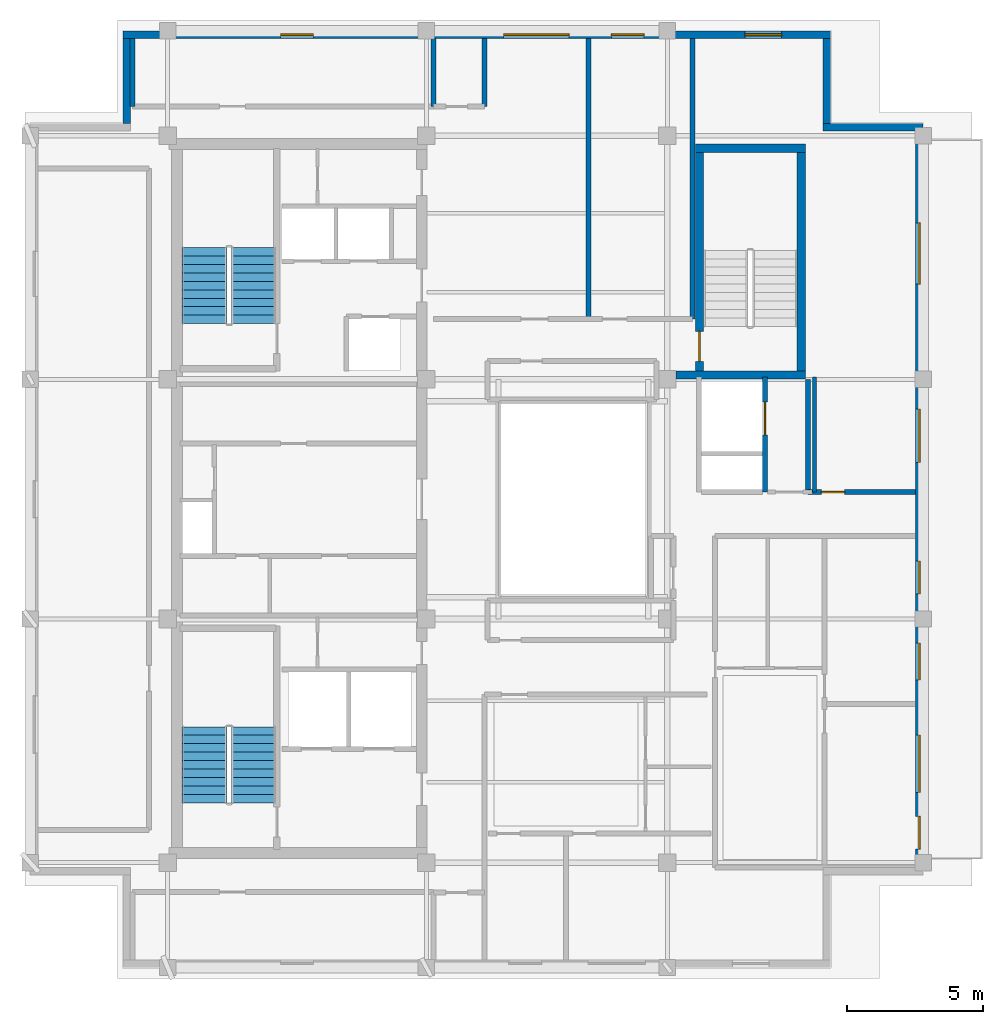
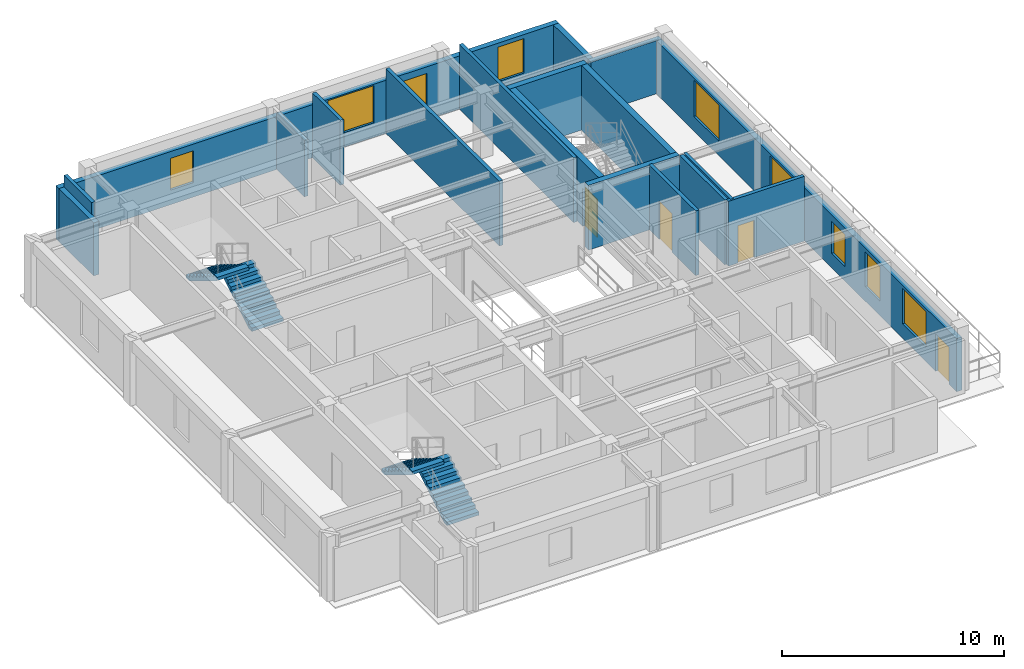
# One storey, part 5 of 9: 18 walls, 9 windows, 4 doors, 4 stair flights, 13 openings, 2 elements without a shape of their own.
"""IFC4 building model written with IfcOpenShell, lengths in metres."""

from ifc_helpers import new_model, si_unit, direction, frame, frame_2d, origin, place, context, subcontext, project, spatial, polyline, rectangle, outline, extrude, material, layer, layer_set, type_object, element, fill, aggregate, save


model = new_model("IFC4")

# Units and contexts
model_context = context("Model", 3, precision=1e-05, world=origin(), true_north=direction((0.0, 1.0)))
body_context = subcontext(model_context, "Body", "Model", "MODEL_VIEW")
ifc_project = project(units=[si_unit("LENGTHUNIT", "METRE"), si_unit("AREAUNIT", "SQUARE_METRE"), si_unit("VOLUMEUNIT", "CUBIC_METRE"), si_unit("PLANEANGLEUNIT", "RADIAN"), si_unit("MASSUNIT", "GRAM", prefix="KILO")], contexts=[model_context])

# Site, building, storey
site_placement = place(None, origin())
site = spatial("IfcSite", under=ifc_project, at=site_placement, CompositionType="ELEMENT")
building_placement = place(site_placement, origin())
building = spatial("IfcBuilding", under=site, at=building_placement, Name="Kundavana Baori Tower", CompositionType="ELEMENT")
storey_placement = place(building_placement, frame((0.0, 0.0, 335.300048828125)))
storey = spatial("IfcBuildingStorey", under=building, at=storey_placement, Name="L83", CompositionType="ELEMENT", Elevation=335.300048828125)

# Wall, openings, door, windows
ifc_material_1 = material(Name="Red-Buff Dholpur Sandstone Cladding on Concrete C40/50", Category="masonry")
ifc_layer_1 = layer(ifc_material_1, 0.280029296875, Name="WL-EXT-SAND-280")
ifc_layer_set_1 = layer_set([ifc_layer_1], Name="Red-Buff Dholpur Sandstone Cladding on Concrete C40/50")
wall_type_1 = type_object("IfcWallType", Name="WL-EXT-SAND-280", PredefinedType="STANDARD", material=ifc_layer_set_1)
wall_1_placement = place(storey_placement, frame((43.06005859375, 15.080078125, 0.0), z_axis=(0.0, 0.0, 1.0), x_axis=(0.0, 1.0, 0.0)))
wall_1 = element("IfcWall", 1, at=wall_1_placement, inside=storey, type_object=wall_type_1, Name="L83 Exterior Insulated Facade Wall 04", PredefinedType="STANDARD", context=body_context, shape_type="SweptSolid", body=[
    extrude(rectangle(XDim=27.0400390625, YDim=0.280029296875, at=frame_2d((13.52001953125, 0.0))), origin(), (0.0, 0.0, 1.0), 2.919921875),
])
opening_1_placement = place(wall_1_placement, frame((0.669921875, 0.0, 0.0)))
opening_1 = element("IfcOpeningElement", 2, at=opening_1_placement, cuts=wall_1, Name="Opening TD-1", PredefinedType="OPENING", context=body_context, shape_type="SweptSolid", body=[
    extrude(rectangle(XDim=1.199951171875, YDim=2.050048828125, at=frame_2d((0.60009765625, 1.02490234375))), frame((0.0, 0.14990234375, 0.0), z_axis=(0.0, -1.0, 0.0), x_axis=(1.0, 0.0, 0.0)), (0.0, 0.0, 1.0), 0.300048828125),
])
opening_2_placement = place(wall_1_placement, frame((2.7548828125, 0.0, 0.800048828125)))
opening_2 = element("IfcOpeningElement", 3, at=opening_2_placement, cuts=wall_1, Name="Opening W-05", PredefinedType="OPENING", context=body_context, shape_type="SweptSolid", body=[
    extrude(rectangle(XDim=2.10009765625, YDim=1.949951171875, at=frame_2d((1.050048828125, 0.97509765625))), frame((0.0, 0.14990234375, 0.0), z_axis=(0.0, -1.0, 0.0), x_axis=(1.0, 0.0, 0.0)), (0.0, 0.0, 1.0), 0.300048828125),
])
opening_3_placement = place(wall_1_placement, frame((6.8798828125, 0.0, 0.800048828125)))
opening_3 = element("IfcOpeningElement", 4, at=opening_3_placement, cuts=wall_1, Name="Opening W-07", PredefinedType="OPENING", context=body_context, shape_type="SweptSolid", body=[
    extrude(rectangle(XDim=1.35009765625, YDim=1.89990234375, at=frame_2d((0.675048828125, 0.949951171875))), frame((0.0, 0.14990234375, 0.0), z_axis=(0.0, -1.0, 0.0), x_axis=(1.0, 0.0, 0.0)), (0.0, 0.0, 1.0), 0.300048828125),
])
opening_4_placement = place(wall_1_placement, frame((10.044921875, 0.0, 0.800048828125)))
opening_4 = element("IfcOpeningElement", 5, at=opening_4_placement, cuts=wall_1, Name="Opening W-03", PredefinedType="OPENING", context=body_context, shape_type="SweptSolid", body=[
    extrude(rectangle(XDim=1.199951171875, YDim=1.75, at=frame_2d((0.60009765625, 0.875))), frame((0.0, 0.14990234375, 0.0), z_axis=(0.0, -1.0, 0.0), x_axis=(1.0, 0.0, 0.0)), (0.0, 0.0, 1.0), 0.300048828125),
])
opening_5_placement = place(wall_1_placement, frame((14.875, 0.0, 0.800048828125)))
opening_5 = element("IfcOpeningElement", 6, at=opening_5_placement, cuts=wall_1, Name="Opening W-09", PredefinedType="OPENING", context=body_context, shape_type="SweptSolid", body=[
    extrude(rectangle(XDim=1.949951171875, YDim=2.0, at=frame_2d((0.97509765625, 1.0))), frame((0.0, 0.14990234375, 0.0), z_axis=(0.0, -1.0, 0.0), x_axis=(1.0, 0.0, 0.0)), (0.0, 0.0, 1.0), 0.300048828125),
])
opening_6_placement = place(wall_1_placement, frame((21.419921875, 0.0, 0.800048828125)))
opening_6 = element("IfcOpeningElement", 7, at=opening_6_placement, cuts=wall_1, Name="Opening W-10", PredefinedType="OPENING", context=body_context, shape_type="SweptSolid", body=[
    extrude(rectangle(XDim=2.25, YDim=2.0, at=frame_2d((1.125, 1.0))), frame((0.0, 0.14990234375, 0.0), z_axis=(0.0, -1.0, 0.0), x_axis=(1.0, 0.0, 0.0)), (0.0, 0.0, 1.0), 0.300048828125),
])
ifc_material_2 = material(Name="Architectural Patinated Bronze Metalwork")
door_type_1 = type_object("IfcDoorType", Name="DR-EXT-TER-1200", OperationType="NOTDEFINED", PredefinedType="DOOR", material=ifc_material_2)
door_1_placement = place(opening_1_placement, frame((1.199951171875, 0.0, 0.0), z_axis=(0.0, 0.0, 1.0), x_axis=(-1.0, 0.0, 0.0)))
door_1 = element("IfcDoor", 8, at=door_1_placement, inside=storey, type_object=door_type_1, Name="L83 Terrace Access Door E", OperationType="SINGLE_SWING_RIGHT", OverallHeight=2.050048828125, OverallWidth=1.199951171875, PredefinedType="DOOR", context=body_context, shape_type="SweptSolid", body=[
    extrude(rectangle(XDim=1.199951171875, YDim=2.050048828125, at=frame_2d((0.60009765625, 1.02490234375))), frame((0.0, 0.02490234375, 0.0), z_axis=(0.0, -1.0, 0.0), x_axis=(1.0, 0.0, 0.0)), (0.0, 0.0, 1.0), 0.050048828125),
])
fill(opening_1, door_1)
ifc_material_3 = material(Name="Double-Glazed Solar-Control Low-E Insulated Glass", Category="glass")
window_type_1 = type_object("IfcWindowType", Name="WIN-LOG-1200x1750", PartitioningType="SINGLE_PANEL", PredefinedType="WINDOW", material=ifc_material_3)
window_1_placement = place(opening_4_placement, origin())
window_1 = element("IfcWindow", 9, at=window_1_placement, inside=storey, type_object=window_type_1, Name="L83 Recessed Loggia Window E-3", OverallHeight=1.75, OverallWidth=1.199951171875, PartitioningType="SINGLE_PANEL", PredefinedType="WINDOW", context=body_context, shape_type="SweptSolid", body=[
    extrude(rectangle(XDim=1.199951171875, YDim=1.75, at=frame_2d((0.60009765625, 0.875))), frame((0.0, 0.030029296875, 0.0), z_axis=(0.0, -1.0, 0.0), x_axis=(1.0, 0.0, 0.0)), (0.0, 0.0, 1.0), 0.06005859375),
])
fill(opening_4, window_1)
ifc_material_4 = material(Name="Double-Glazed Solar-Control Low-E Insulated Glass", Category="glass")
window_type_2 = type_object("IfcWindowType", Name="WIN-LOG-1350x1900", PartitioningType="SINGLE_PANEL", PredefinedType="WINDOW", material=ifc_material_4)
window_2_placement = place(opening_3_placement, origin())
window_2 = element("IfcWindow", 10, at=window_2_placement, inside=storey, type_object=window_type_2, Name="L83 Recessed Loggia Window E-2", OverallHeight=1.89990234375, OverallWidth=1.35009765625, PartitioningType="SINGLE_PANEL", PredefinedType="WINDOW", context=body_context, shape_type="SweptSolid", body=[
    extrude(rectangle(XDim=1.35009765625, YDim=1.89990234375, at=frame_2d((0.675048828125, 0.949951171875))), frame((0.0, 0.030029296875, 0.0), z_axis=(0.0, -1.0, 0.0), x_axis=(1.0, 0.0, 0.0)), (0.0, 0.0, 1.0), 0.06005859375),
])
fill(opening_3, window_2)
ifc_material_5 = material(Name="Double-Glazed Solar-Control Low-E Insulated Glass", Category="glass")
window_type_3 = type_object("IfcWindowType", Name="WIN-LOG-1950x2000", PartitioningType="SINGLE_PANEL", PredefinedType="WINDOW", material=ifc_material_5)
window_3_placement = place(opening_5_placement, origin())
window_3 = element("IfcWindow", 11, at=window_3_placement, inside=storey, type_object=window_type_3, Name="L83 Recessed Loggia Window E-4", OverallHeight=2.0, OverallWidth=1.949951171875, PartitioningType="SINGLE_PANEL", PredefinedType="WINDOW", context=body_context, shape_type="SweptSolid", body=[
    extrude(rectangle(XDim=1.949951171875, YDim=2.0, at=frame_2d((0.97509765625, 1.0))), frame((0.0, 0.030029296875, 0.0), z_axis=(0.0, -1.0, 0.0), x_axis=(1.0, 0.0, 0.0)), (0.0, 0.0, 1.0), 0.06005859375),
])
fill(opening_5, window_3)
ifc_material_6 = material(Name="Double-Glazed Solar-Control Low-E Insulated Glass", Category="glass")
window_type_4 = type_object("IfcWindowType", Name="WIN-LOG-2100x1950", PartitioningType="SINGLE_PANEL", PredefinedType="WINDOW", material=ifc_material_6)
window_4_placement = place(opening_2_placement, origin())
window_4 = element("IfcWindow", 12, at=window_4_placement, inside=storey, type_object=window_type_4, Name="L83 Recessed Loggia Window E-1", OverallHeight=1.949951171875, OverallWidth=2.10009765625, PartitioningType="SINGLE_PANEL", PredefinedType="WINDOW", context=body_context, shape_type="SweptSolid", body=[
    extrude(rectangle(XDim=2.10009765625, YDim=1.949951171875, at=frame_2d((1.050048828125, 0.97509765625))), frame((0.0, 0.030029296875, 0.0), z_axis=(0.0, -1.0, 0.0), x_axis=(1.0, 0.0, 0.0)), (0.0, 0.0, 1.0), 0.06005859375),
])
fill(opening_2, window_4)
ifc_material_7 = material(Name="Double-Glazed Solar-Control Low-E Insulated Glass", Category="glass")
window_type_5 = type_object("IfcWindowType", Name="WIN-LOG-2250x2000", PartitioningType="SINGLE_PANEL", PredefinedType="WINDOW", material=ifc_material_7)
window_5_placement = place(opening_6_placement, origin())
window_5 = element("IfcWindow", 13, at=window_5_placement, inside=storey, type_object=window_type_5, Name="L83 Recessed Loggia Window E-5", OverallHeight=2.0, OverallWidth=2.25, PartitioningType="SINGLE_PANEL", PredefinedType="WINDOW", context=body_context, shape_type="SweptSolid", body=[
    extrude(rectangle(XDim=2.25, YDim=2.0, at=frame_2d((1.125, 1.0))), frame((0.0, 0.030029296875, 0.0), z_axis=(0.0, -1.0, 0.0), x_axis=(1.0, 0.0, 0.0)), (0.0, 0.0, 1.0), 0.06005859375),
])
fill(opening_6, window_5)

# Walls
wall_2_placement = place(storey_placement, frame((43.199951171875, 42.260009765625, 0.0), z_axis=(0.0, 0.0, 1.0), x_axis=(-1.0, 0.0, 0.0)))
element("IfcWall", 14, at=wall_2_placement, inside=storey, type_object=wall_type_1, Name="L83 Exterior Insulated Facade Wall 05", PredefinedType="STANDARD", context=body_context, shape_type="SweptSolid", body=[
    extrude(rectangle(XDim=3.679931640625, YDim=0.280029296875, at=frame_2d((1.83984375, 0.0))), origin(), (0.0, 0.0, 1.0), 2.919921875),
])
wall_3_placement = place(storey_placement, frame((39.659912109375, 42.39990234375, 0.0), z_axis=(0.0, 0.0, 1.0), x_axis=(0.0, 1.0, 0.0)))
element("IfcWall", 15, at=wall_3_placement, inside=storey, type_object=wall_type_1, Name="L83 Exterior Insulated Facade Wall 06", PredefinedType="STANDARD", context=body_context, shape_type="SweptSolid", body=[
    extrude(rectangle(XDim=3.1201171875, YDim=0.280029296875, at=frame_2d((1.56005859375, 0.0))), origin(), (0.0, 0.0, 1.0), 2.919921875),
])

# Wall, openings, windows
wall_4_placement = place(storey_placement, frame((39.800048828125, 45.659912109375, 0.0), z_axis=(0.0, 0.0, 1.0), x_axis=(-1.0, 0.0, 0.0)))
wall_4 = element("IfcWall", 16, at=wall_4_placement, inside=storey, type_object=wall_type_1, Name="L83 Exterior Insulated Facade Wall 07", PredefinedType="STANDARD", context=body_context, shape_type="SweptSolid", body=[
    extrude(rectangle(XDim=26.0, YDim=0.280029296875, at=frame_2d((13.0, 0.0))), origin(), (0.0, 0.0, 1.0), 2.919921875),
])
opening_7_placement = place(wall_4_placement, frame((19.0, 0.0, 0.800048828125)))
opening_7 = element("IfcOpeningElement", 17, at=opening_7_placement, cuts=wall_4, Name="Opening W-03", PredefinedType="OPENING", context=body_context, shape_type="SweptSolid", body=[
    extrude(rectangle(XDim=1.199951171875, YDim=1.75, at=frame_2d((0.60009765625, 0.875))), frame((0.0, 0.14990234375, 0.0), z_axis=(0.0, -1.0, 0.0), x_axis=(1.0, 0.0, 0.0)), (0.0, 0.0, 1.0), 0.300048828125),
])
opening_8_placement = place(wall_4_placement, frame((9.610107421875, 0.0, 0.800048828125)))
opening_8 = element("IfcOpeningElement", 18, at=opening_8_placement, cuts=wall_4, Name="Opening W-04", PredefinedType="OPENING", context=body_context, shape_type="SweptSolid", body=[
    extrude(rectangle(XDim=2.39990234375, YDim=2.050048828125, at=frame_2d((1.199951171875, 1.02490234375))), frame((0.0, 0.14990234375, 0.0), z_axis=(0.0, -1.0, 0.0), x_axis=(1.0, 0.0, 0.0)), (0.0, 0.0, 1.0), 0.300048828125),
])
opening_9_placement = place(wall_4_placement, frame((6.85009765625, 0.0, 0.800048828125)))
opening_9 = element("IfcOpeningElement", 19, at=opening_9_placement, cuts=wall_4, Name="Opening W-03", PredefinedType="OPENING", context=body_context, shape_type="SweptSolid", body=[
    extrude(rectangle(XDim=1.199951171875, YDim=1.75, at=frame_2d((0.60009765625, 0.875))), frame((0.0, 0.14990234375, 0.0), z_axis=(0.0, -1.0, 0.0), x_axis=(1.0, 0.0, 0.0)), (0.0, 0.0, 1.0), 0.300048828125),
])
opening_10_placement = place(wall_4_placement, frame((1.800048828125, 0.0, 0.800048828125)))
opening_10 = element("IfcOpeningElement", 20, at=opening_10_placement, cuts=wall_4, Name="Opening W-07", PredefinedType="OPENING", context=body_context, shape_type="SweptSolid", body=[
    extrude(rectangle(XDim=1.35009765625, YDim=1.89990234375, at=frame_2d((0.675048828125, 0.949951171875))), frame((0.0, 0.14990234375, 0.0), z_axis=(0.0, -1.0, 0.0), x_axis=(1.0, 0.0, 0.0)), (0.0, 0.0, 1.0), 0.300048828125),
])
window_6_placement = place(opening_7_placement, origin())
window_6 = element("IfcWindow", 21, at=window_6_placement, inside=storey, type_object=window_type_1, Name="L83 Recessed Loggia Window N-1", OverallHeight=1.75, OverallWidth=1.199951171875, PartitioningType="SINGLE_PANEL", PredefinedType="WINDOW", context=body_context, shape_type="SweptSolid", body=[
    extrude(rectangle(XDim=1.199951171875, YDim=1.75, at=frame_2d((0.60009765625, 0.875))), frame((0.0, 0.030029296875, 0.0), z_axis=(0.0, -1.0, 0.0), x_axis=(1.0, 0.0, 0.0)), (0.0, 0.0, 1.0), 0.06005859375),
])
fill(opening_7, window_6)
window_7_placement = place(opening_9_placement, origin())
window_7 = element("IfcWindow", 22, at=window_7_placement, inside=storey, type_object=window_type_1, Name="L83 Recessed Loggia Window N-3", OverallHeight=1.75, OverallWidth=1.199951171875, PartitioningType="SINGLE_PANEL", PredefinedType="WINDOW", context=body_context, shape_type="SweptSolid", body=[
    extrude(rectangle(XDim=1.199951171875, YDim=1.75, at=frame_2d((0.60009765625, 0.875))), frame((0.0, 0.030029296875, 0.0), z_axis=(0.0, -1.0, 0.0), x_axis=(1.0, 0.0, 0.0)), (0.0, 0.0, 1.0), 0.06005859375),
])
fill(opening_9, window_7)
window_8_placement = place(opening_10_placement, origin())
window_8 = element("IfcWindow", 23, at=window_8_placement, inside=storey, type_object=window_type_2, Name="L83 Recessed Loggia Window N-4", OverallHeight=1.89990234375, OverallWidth=1.35009765625, PartitioningType="SINGLE_PANEL", PredefinedType="WINDOW", context=body_context, shape_type="SweptSolid", body=[
    extrude(rectangle(XDim=1.35009765625, YDim=1.89990234375, at=frame_2d((0.675048828125, 0.949951171875))), frame((0.0, 0.030029296875, 0.0), z_axis=(0.0, -1.0, 0.0), x_axis=(1.0, 0.0, 0.0)), (0.0, 0.0, 1.0), 0.06005859375),
])
fill(opening_10, window_8)
ifc_material_8 = material(Name="Double-Glazed Solar-Control Low-E Insulated Glass", Category="glass")
window_type_6 = type_object("IfcWindowType", Name="WIN-LOG-2400x2050", PartitioningType="SINGLE_PANEL", PredefinedType="WINDOW", material=ifc_material_8)
window_9_placement = place(opening_8_placement, origin())
window_9 = element("IfcWindow", 24, at=window_9_placement, inside=storey, type_object=window_type_6, Name="L83 Recessed Loggia Window N-2", OverallHeight=2.050048828125, OverallWidth=2.39990234375, PartitioningType="SINGLE_PANEL", PredefinedType="WINDOW", context=body_context, shape_type="SweptSolid", body=[
    extrude(rectangle(XDim=2.39990234375, YDim=2.050048828125, at=frame_2d((1.199951171875, 1.02490234375))), frame((0.0, 0.030029296875, 0.0), z_axis=(0.0, -1.0, 0.0), x_axis=(1.0, 0.0, 0.0)), (0.0, 0.0, 1.0), 0.06005859375),
])
fill(opening_8, window_9)

# Walls
wall_5_placement = place(storey_placement, frame((13.93994140625, 45.52001953125, 0.0), z_axis=(0.0, 0.0, 1.0), x_axis=(0.0, -1.0, 0.0)))
element("IfcWall", 25, at=wall_5_placement, inside=storey, type_object=wall_type_1, Name="L83 Exterior Insulated Facade Wall 08", PredefinedType="STANDARD", context=body_context, shape_type="SweptSolid", body=[
    extrude(rectangle(XDim=3.1201171875, YDim=0.280029296875, at=frame_2d((1.56005859375, 0.0))), origin(), (0.0, 0.0, 1.0), 2.919921875),
])
ifc_material_9 = material(Name="Fire-Rated Gypsum Drywall on Galvanised Steel Studs", Category="steel")
ifc_layer_2 = layer(ifc_material_9, 0.14990234375, Name="WL-PART-150")
ifc_layer_set_2 = layer_set([ifc_layer_2], Name="Fire-Rated Gypsum Drywall on Galvanised Steel Studs")
wall_type_2 = type_object("IfcWallType", Name="WL-PART-150", PredefinedType="PARTITIONING", material=ifc_layer_set_2)
wall_6_placement = place(storey_placement, frame((39.199951171875, 28.860107421875, 0.0), z_axis=(0.0, 0.0, 1.0), x_axis=(0.0, 1.0, 0.0)))
element("IfcWall", 26, at=wall_6_placement, inside=storey, type_object=wall_type_2, Name="WL-L83-SVLOB-E", PredefinedType="PARTITIONING", context=body_context, shape_type="SweptSolid", body=[
    extrude(rectangle(XDim=4.219970703125, YDim=0.14990234375, at=frame_2d((2.10986328125, 0.0))), origin(), (0.0, 0.0, 1.0), 3.56005859375),
])
ifc_material_10 = material(Name="Autoclaved Aerated Concrete Blockwork Masonry", Category="masonry")
ifc_layer_3 = layer(ifc_material_10, 0.18505859375, Name="WL-PART-180")
ifc_layer_set_3 = layer_set([ifc_layer_3], Name="Autoclaved Aerated Concrete Blockwork Masonry")
wall_type_3 = type_object("IfcWallType", Name="WL-PART-180", PredefinedType="SOLIDWALL", material=ifc_layer_set_3)
wall_7_placement = place(storey_placement, frame((14.14990234375, 43.030029296875, 0.0), z_axis=(0.0, 0.0, 1.0), x_axis=(0.0, 1.0, 0.0)))
element("IfcWall", 27, at=wall_7_placement, inside=storey, type_object=wall_type_3, Name="WL-L83-RNCW", PredefinedType="SOLIDWALL", context=body_context, shape_type="SweptSolid", body=[
    extrude(rectangle(XDim=2.489990234375, YDim=0.18505859375, at=frame_2d((1.2451171875, 0.0))), origin(), (0.0, 0.0, 1.0), 3.56005859375),
])
wall_8_placement = place(storey_placement, frame((25.219970703125, 43.030029296875, 0.0), z_axis=(0.0, 0.0, 1.0), x_axis=(0.0, 1.0, 0.0)))
element("IfcWall", 28, at=wall_8_placement, inside=storey, type_object=wall_type_3, Name="WL-L83-RNCE", PredefinedType="SOLIDWALL", context=body_context, shape_type="SweptSolid", body=[
    extrude(rectangle(XDim=2.489990234375, YDim=0.18505859375, at=frame_2d((1.2451171875, 0.0))), origin(), (0.0, 0.0, 1.0), 3.10986328125),
])
wall_9_placement = place(storey_placement, frame((34.719970703125, 35.219970703125, 0.0), z_axis=(0.0, 0.0, 1.0), x_axis=(0.0, 1.0, 0.0)))
element("IfcWall", 29, at=wall_9_placement, inside=storey, type_object=wall_type_3, Name="WL-L83-RNEND", PredefinedType="SOLIDWALL", context=body_context, shape_type="SweptSolid", body=[
    extrude(rectangle(XDim=10.300048828125, YDim=0.18505859375, at=frame_2d((5.14990234375, 0.0))), origin(), (0.0, 0.0, 1.0), 3.56005859375),
])
wall_10_placement = place(storey_placement, frame((30.89990234375, 35.300048828125, 0.0), z_axis=(0.0, 0.0, 1.0), x_axis=(0.0, 1.0, 0.0)))
element("IfcWall", 30, at=wall_10_placement, inside=storey, type_object=wall_type_3, Name="WL-L83-RND1", PredefinedType="SOLIDWALL", context=body_context, shape_type="SweptSolid", body=[
    extrude(rectangle(XDim=10.219970703125, YDim=0.18505859375, at=frame_2d((5.10986328125, 0.0))), origin(), (0.0, 0.0, 1.0), 3.56005859375),
])

# Wall, opening, door
wall_11_placement = place(storey_placement, frame((38.9599609375, 28.860107421875, 0.0), z_axis=(0.0, 0.0, 1.0), x_axis=(1.0, 0.0, 0.0)))
wall_11 = element("IfcWall", 31, at=wall_11_placement, inside=storey, type_object=wall_type_3, Name="WL-L83-CNES", PredefinedType="SOLIDWALL", context=body_context, shape_type="SweptSolid", body=[
    extrude(rectangle(XDim=3.9599609375, YDim=0.18505859375, at=frame_2d((1.97998046875, 0.0))), origin(), (0.0, 0.0, 1.0), 3.56005859375),
])
opening_11_placement = place(wall_11_placement, frame((0.5, 0.0, 0.0)))
opening_11 = element("IfcOpeningElement", 32, at=opening_11_placement, cuts=wall_11, Name="Opening WD-085", PredefinedType="OPENING", context=body_context, shape_type="SweptSolid", body=[
    extrude(rectangle(XDim=0.85009765625, YDim=2.050048828125, at=frame_2d((0.425048828125, 1.02490234375))), frame((0.0, 0.1025390625, 0.0), z_axis=(0.0, -1.0, 0.0), x_axis=(1.0, 0.0, 0.0)), (0.0, 0.0, 1.0), 0.205078125),
])
ifc_material_11 = material(Name="Engineered Teak Solid-Core Timber Veneer", Category="wood")
door_type_2 = type_object("IfcDoorType", Name="DR-WET-850", OperationType="NOTDEFINED", PredefinedType="DOOR", material=ifc_material_11)
door_2_placement = place(opening_11_placement, origin())
door_2 = element("IfcDoor", 33, at=door_2_placement, inside=storey, type_object=door_type_2, Name="DR-L83-RCNE", OperationType="SINGLE_SWING_LEFT", OverallHeight=2.050048828125, OverallWidth=0.85009765625, PredefinedType="DOOR", context=body_context, shape_type="SweptSolid", body=[
    extrude(rectangle(XDim=0.85009765625, YDim=2.050048828125, at=frame_2d((0.425048828125, 1.02490234375))), frame((0.0, 0.02490234375, 0.0), z_axis=(0.0, -1.0, 0.0), x_axis=(1.0, 0.0, 0.0)), (0.0, 0.0, 1.0), 0.050048828125),
])
fill(opening_11, door_2)

# Walls
wall_12_placement = place(storey_placement, frame((38.9599609375, 28.93994140625, 0.0), z_axis=(0.0, 0.0, 1.0), x_axis=(0.0, 1.0, 0.0)))
element("IfcWall", 34, at=wall_12_placement, inside=storey, type_object=wall_type_3, Name="WL-L83-CNEW", PredefinedType="SOLIDWALL", context=body_context, shape_type="SweptSolid", body=[
    extrude(rectangle(XDim=4.06005859375, YDim=0.18505859375, at=frame_2d((2.030029296875, 0.0))), origin(), (0.0, 0.0, 1.0), 3.56005859375),
])
wall_13_placement = place(storey_placement, frame((27.080078125, 43.02001953125, 0.0), z_axis=(0.0, 0.0, 1.0), x_axis=(0.0, 1.0, 0.0)))
element("IfcWall", 35, at=wall_13_placement, inside=storey, type_object=wall_type_3, Name="WL-L83-CNCE", PredefinedType="SOLIDWALL", context=body_context, shape_type="SweptSolid", body=[
    extrude(rectangle(XDim=2.5, YDim=0.18505859375, at=frame_2d((1.25, 0.0))), origin(), (0.0, 0.0, 1.0), 3.56005859375),
])

# Wall, opening, door
ifc_material_12 = material(Name="Autoclaved Aerated Concrete Blockwork Masonry", Category="masonry")
ifc_layer_4 = layer(ifc_material_12, 0.179931640625, Name="WL-SHAFT-180")
ifc_layer_set_4 = layer_set([ifc_layer_4], Name="Autoclaved Aerated Concrete Blockwork Masonry")
wall_type_4 = type_object("IfcWallType", Name="WL-SHAFT-180", PredefinedType="SOLIDWALL", material=ifc_layer_set_4)
wall_14_placement = place(storey_placement, frame((37.389892578125, 28.860107421875, 0.0), z_axis=(0.0, 0.0, 1.0), x_axis=(0.0, 1.0, 0.0)))
wall_14 = element("IfcWall", 36, at=wall_14_placement, inside=storey, type_object=wall_type_4, Name="WL-L83-SVL-E", PredefinedType="SOLIDWALL", context=body_context, shape_type="SweptSolid", body=[
    extrude(rectangle(XDim=4.219970703125, YDim=0.179931640625, at=frame_2d((2.10986328125, 0.0))), origin(), (0.0, 0.0, 1.0), 3.56005859375),
])
opening_12_placement = place(wall_14_placement, frame((2.10009765625, 0.0, 0.0)))
opening_12 = element("IfcOpeningElement", 37, at=opening_12_placement, cuts=wall_14, Name="Opening LD-120", PredefinedType="OPENING", context=body_context, shape_type="SweptSolid", body=[
    extrude(rectangle(XDim=1.199951171875, YDim=2.1201171875, at=frame_2d((0.60009765625, 1.06005859375))), frame((0.0, 0.10009765625, 0.0), z_axis=(0.0, -1.0, 0.0), x_axis=(1.0, 0.0, 0.0)), (0.0, 0.0, 1.0), 0.199951171875),
])
ifc_material_13 = material(Name="Galvanised Steel Fire-Rated Door Leaf", Category="steel")
door_type_3 = type_object("IfcDoorType", Name="DR-SLIDE-LD1200", OperationType="NOTDEFINED", PredefinedType="DOOR", material=ifc_material_13)
door_3_placement = place(opening_12_placement, frame((1.199951171875, 0.0, 0.0), z_axis=(0.0, 0.0, 1.0), x_axis=(-1.0, 0.0, 0.0)))
door_3 = element("IfcDoor", 38, at=door_3_placement, inside=storey, type_object=door_type_3, Name="DR-L83-LD-SVL1", OperationType="DOUBLE_DOOR_SLIDING", OverallHeight=2.1201171875, OverallWidth=1.199951171875, PredefinedType="DOOR", context=body_context, shape_type="SweptSolid", body=[
    extrude(rectangle(XDim=1.199951171875, YDim=2.1201171875, at=frame_2d((0.60009765625, 1.06005859375))), frame((0.0, 0.02490234375, 0.0), z_axis=(0.0, -1.0, 0.0), x_axis=(1.0, 0.0, 0.0)), (0.0, 0.0, 1.0), 0.050048828125),
])
fill(opening_12, door_3)

# Walls
ifc_material_14 = material(Name="Concrete C50/60", Category="concrete")
ifc_layer_5 = layer(ifc_material_14, 0.300048828125, Name="WL-ST3-300")
ifc_layer_set_5 = layer_set([ifc_layer_5], Name="Concrete C50/60")
wall_type_5 = type_object("IfcWallType", Name="WL-ST3-300", PredefinedType="SHEAR", material=ifc_layer_set_5)
wall_15_placement = place(storey_placement, frame((34.125, 33.159912109375, 0.0), z_axis=(0.0, 0.0, 1.0), x_axis=(1.0, 0.0, 0.0)))
element("IfcWall", 39, at=wall_15_placement, inside=storey, type_object=wall_type_5, Name="L83 Stair ST3 South Shear Wall", PredefinedType="SHEAR", context=body_context, shape_type="SweptSolid", body=[
    extrude(rectangle(XDim=4.7451171875, YDim=0.300048828125, at=frame_2d((2.37255859375, 0.0))), origin(), (0.0, 0.0, 1.0), 3.56005859375),
])
wall_16_placement = place(storey_placement, frame((34.830078125, 41.489990234375, 0.0), z_axis=(0.0, 0.0, 1.0), x_axis=(1.0, 0.0, 0.0)))
element("IfcWall", 40, at=wall_16_placement, inside=storey, type_object=wall_type_5, Name="L83 Stair ST3 North Shear Wall", PredefinedType="SHEAR", context=body_context, shape_type="SweptSolid", body=[
    extrude(rectangle(XDim=4.0400390625, YDim=0.300048828125, at=frame_2d((2.02001953125, 0.0))), origin(), (0.0, 0.0, 1.0), 3.56005859375),
])

# Wall, opening, door
wall_17_placement = place(storey_placement, frame((34.97998046875, 33.31005859375, 0.0), z_axis=(0.0, 0.0, 1.0), x_axis=(0.0, 1.0, 0.0)))
wall_17 = element("IfcWall", 41, at=wall_17_placement, inside=storey, type_object=wall_type_5, Name="L83 Stair ST3 West Shear Wall", PredefinedType="SHEAR", context=body_context, shape_type="SweptSolid", body=[
    extrude(rectangle(XDim=8.030029296875, YDim=0.300048828125, at=frame_2d((4.01513671875, 0.0))), origin(), (0.0, 0.0, 1.0), 3.56005859375),
])
opening_13_placement = place(wall_17_placement, frame((0.35009765625, 0.0, 0.0)))
opening_13 = element("IfcOpeningElement", 42, at=opening_13_placement, cuts=wall_17, Name="Opening FD-110", PredefinedType="OPENING", context=body_context, shape_type="SweptSolid", body=[
    extrude(rectangle(XDim=1.10009765625, YDim=2.10009765625, at=frame_2d((0.550048828125, 1.050048828125))), frame((0.0, 0.16015625, 0.0), z_axis=(0.0, -1.0, 0.0), x_axis=(1.0, 0.0, 0.0)), (0.0, 0.0, 1.0), 0.320068359375),
])
ifc_material_15 = material(Name="Galvanised Steel Fire-Rated Door Leaf", Category="steel")
door_type_4 = type_object("IfcDoorType", Name="DR-FD120-1100", OperationType="NOTDEFINED", PredefinedType="DOOR", material=ifc_material_15)
door_4_placement = place(opening_13_placement, origin())
door_4 = element("IfcDoor", 43, at=door_4_placement, inside=storey, type_object=door_type_4, Name="DR-L83-ST3-W", OperationType="SINGLE_SWING_LEFT", OverallHeight=2.10009765625, OverallWidth=1.10009765625, PredefinedType="DOOR", context=body_context, shape_type="SweptSolid", body=[
    extrude(rectangle(XDim=1.10009765625, YDim=2.10009765625, at=frame_2d((0.550048828125, 1.050048828125))), frame((0.0, 0.02490234375, 0.0), z_axis=(0.0, -1.0, 0.0), x_axis=(1.0, 0.0, 0.0)), (0.0, 0.0, 1.0), 0.050048828125),
])
fill(opening_13, door_4)

# Wall
wall_18_placement = place(storey_placement, frame((38.719970703125, 33.31005859375, 0.0), z_axis=(0.0, 0.0, 1.0), x_axis=(0.0, 1.0, 0.0)))
element("IfcWall", 44, at=wall_18_placement, inside=storey, type_object=wall_type_5, Name="L83 Stair ST3 East Shear Wall", PredefinedType="SHEAR", context=body_context, shape_type="SweptSolid", body=[
    extrude(rectangle(XDim=8.030029296875, YDim=0.300048828125, at=frame_2d((4.01513671875, 0.0))), origin(), (0.0, 0.0, 1.0), 3.56005859375),
])

# Stair, stair flights
ifc_material_16 = material(Name="Concrete C40/50", Category="concrete")
stair_type = type_object("IfcStairType", Name="STR-DOG-1650", PredefinedType="HALF_TURN_STAIR", material=ifc_material_16)
stair_1_placement = place(storey_placement, origin())
stair_1 = element("IfcStair", 45, at=stair_1_placement, inside=storey, type_object=stair_type, Name="L83 Protected Exit Stair ST1", PredefinedType="HALF_TURN_STAIR")
ifc_material_17 = material(Name="Concrete C40/50", Category="concrete")
stair_flight_type = type_object("IfcStairFlightType", Name="SFL-RC-1650", PredefinedType="STRAIGHT", material=ifc_material_17)
stair_flight_1_placement = place(storey_placement, frame((18.614990234375, 17.449951171875, 0.0), z_axis=(0.0, 0.0, 1.0), x_axis=(0.0, 1.0, 0.0)))
stair_flight_1 = element("IfcStairFlight", 46, at=stair_flight_1_placement, type_object=stair_flight_type, Name="ST1 flight 1", NumberOfRisers=10, NumberOfTreads=9, PredefinedType="STRAIGHT", RiserHeight=0.19, TreadLength=0.31, context=body_context, shape_type="SweptSolid", body=[
    extrude(outline(polyline([(0.0, 0.0), (0.0, 0.18994140625), (0.31005859375, 0.18994140625), (0.31005859375, 0.3798828125), (0.6201171875, 0.3798828125), (0.6201171875, 0.570068359375), (0.929931640625, 0.570068359375), (0.929931640625, 0.760009765625), (1.239990234375, 0.760009765625), (1.239990234375, 0.949951171875), (1.550048828125, 0.949951171875), (1.550048828125, 1.139892578125), (1.860107421875, 1.139892578125), (1.860107421875, 1.330078125), (2.169921875, 1.330078125), (2.169921875, 1.52001953125), (2.47998046875, 1.52001953125), (2.47998046875, 1.7099609375), (2.7900390625, 1.7099609375), (2.7900390625, 1.89990234375), (2.7900390625, 1.5341796875), (0.286865234375, 0.0), (0.0, 0.0)])), frame((0.0, 0.824951171875, 0.0), z_axis=(0.0, -1.0, 0.0), x_axis=(1.0, 0.0, 0.0)), (0.0, 0.0, 1.0), 1.64990234375),
])
stair_flight_2_placement = place(storey_placement, frame((16.804931640625, 20.239990234375, 1.89990234375), z_axis=(0.0, 0.0, 1.0), x_axis=(0.0, -1.0, 0.0)))
stair_flight_2 = element("IfcStairFlight", 47, at=stair_flight_2_placement, type_object=stair_flight_type, Name="ST1 flight 2", NumberOfRisers=10, NumberOfTreads=9, PredefinedType="STRAIGHT", RiserHeight=0.19, TreadLength=0.31, context=body_context, shape_type="SweptSolid", body=[
    extrude(outline(polyline([(0.0, 0.0), (0.0, 0.18994140625), (0.31005859375, 0.18994140625), (0.31005859375, 0.3798828125), (0.6201171875, 0.3798828125), (0.6201171875, 0.570068359375), (0.929931640625, 0.570068359375), (0.929931640625, 0.760009765625), (1.239990234375, 0.760009765625), (1.239990234375, 0.949951171875), (1.550048828125, 0.949951171875), (1.550048828125, 1.139892578125), (1.860107421875, 1.139892578125), (1.860107421875, 1.330078125), (2.169921875, 1.330078125), (2.169921875, 1.52001953125), (2.47998046875, 1.52001953125), (2.47998046875, 1.7099609375), (2.7900390625, 1.7099609375), (2.7900390625, 1.89990234375), (2.7900390625, 1.5341796875), (0.286865234375, 0.0), (0.0, 0.0)])), frame((0.0, 0.824951171875, 0.0), z_axis=(0.0, -1.0, 0.0), x_axis=(1.0, 0.0, 0.0)), (0.0, 0.0, 1.0), 1.64990234375),
])
aggregate(stair_1, [stair_flight_1, stair_flight_2])

stair_2_placement = place(storey_placement, origin())
stair_2 = element("IfcStair", 48, at=stair_2_placement, inside=storey, type_object=stair_type, Name="L83 Protected Exit Stair ST2", PredefinedType="HALF_TURN_STAIR")
stair_flight_3_placement = place(storey_placement, frame((18.614990234375, 35.050048828125, 0.0), z_axis=(0.0, 0.0, 1.0), x_axis=(0.0, 1.0, 0.0)))
stair_flight_3 = element("IfcStairFlight", 49, at=stair_flight_3_placement, type_object=stair_flight_type, Name="ST2 flight 1", NumberOfRisers=10, NumberOfTreads=9, PredefinedType="STRAIGHT", RiserHeight=0.19, TreadLength=0.31, context=body_context, shape_type="SweptSolid", body=[
    extrude(outline(polyline([(0.0, 0.0), (0.0, 0.18994140625), (0.31005859375, 0.18994140625), (0.31005859375, 0.3798828125), (0.6201171875, 0.3798828125), (0.6201171875, 0.570068359375), (0.929931640625, 0.570068359375), (0.929931640625, 0.760009765625), (1.239990234375, 0.760009765625), (1.239990234375, 0.949951171875), (1.550048828125, 0.949951171875), (1.550048828125, 1.139892578125), (1.860107421875, 1.139892578125), (1.860107421875, 1.330078125), (2.169921875, 1.330078125), (2.169921875, 1.52001953125), (2.47998046875, 1.52001953125), (2.47998046875, 1.7099609375), (2.7900390625, 1.7099609375), (2.7900390625, 1.89990234375), (2.7900390625, 1.5341796875), (0.286865234375, 0.0), (0.0, 0.0)])), frame((0.0, 0.824951171875, 0.0), z_axis=(0.0, -1.0, 0.0), x_axis=(1.0, 0.0, 0.0)), (0.0, 0.0, 1.0), 1.64990234375),
])
stair_flight_4_placement = place(storey_placement, frame((16.804931640625, 37.840087890625, 1.89990234375), z_axis=(0.0, 0.0, 1.0), x_axis=(0.0, -1.0, 0.0)))
stair_flight_4 = element("IfcStairFlight", 50, at=stair_flight_4_placement, type_object=stair_flight_type, Name="ST2 flight 2", NumberOfRisers=10, NumberOfTreads=9, PredefinedType="STRAIGHT", RiserHeight=0.19, TreadLength=0.31, context=body_context, shape_type="SweptSolid", body=[
    extrude(outline(polyline([(0.0, 0.0), (0.0, 0.18994140625), (0.31005859375, 0.18994140625), (0.31005859375, 0.3798828125), (0.6201171875, 0.3798828125), (0.6201171875, 0.570068359375), (0.929931640625, 0.570068359375), (0.929931640625, 0.760009765625), (1.239990234375, 0.760009765625), (1.239990234375, 0.949951171875), (1.550048828125, 0.949951171875), (1.550048828125, 1.139892578125), (1.860107421875, 1.139892578125), (1.860107421875, 1.330078125), (2.169921875, 1.330078125), (2.169921875, 1.52001953125), (2.47998046875, 1.52001953125), (2.47998046875, 1.7099609375), (2.7900390625, 1.7099609375), (2.7900390625, 1.89990234375), (2.7900390625, 1.5341796875), (0.286865234375, 0.0), (0.0, 0.0)])), frame((0.0, 0.824951171875, 0.0), z_axis=(0.0, -1.0, 0.0), x_axis=(1.0, 0.0, 0.0)), (0.0, 0.0, 1.0), 1.64990234375),
])
aggregate(stair_2, [stair_flight_3, stair_flight_4])

save(model, "model.ifc")
